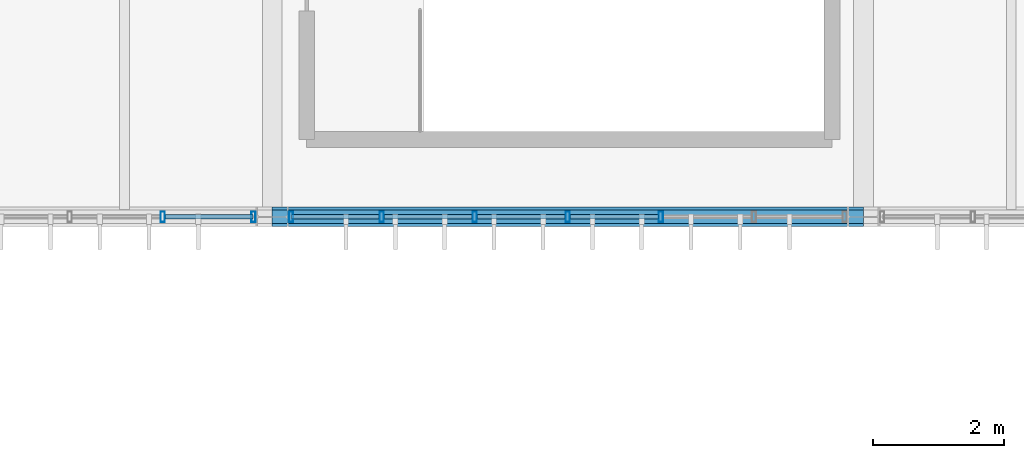
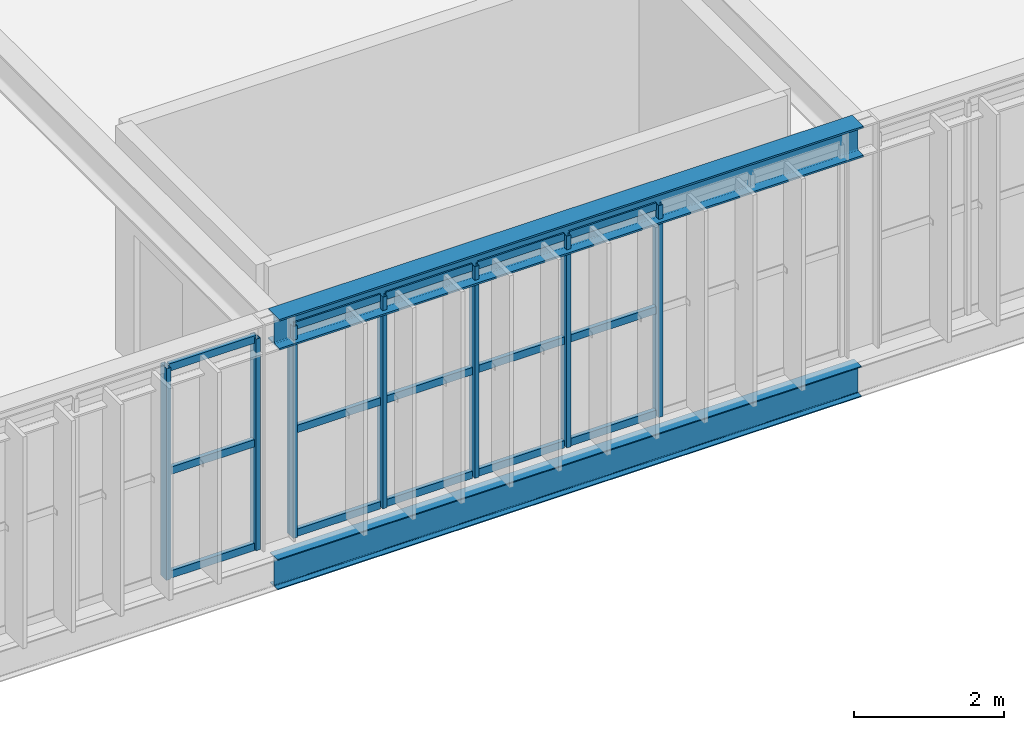
# One storey, part 36 of 152: 22 members, 2 beams, 2 elements without a shape of their own.
"""IFC4 building model written with IfcOpenShell, lengths in metres."""

import ifcopenshell
import ifcopenshell.guid

model = None  # the IFC model being written
_history = None  # IfcOwnerHistory: only IFC2X3 demands one
_inside = {}  # id of a spatial element -> (the spatial element, [elements in it])
_under = {}  # id of a project, library or spatial element -> (it, [spatial elements below it])
_declared = {}  # id of a project -> (the project, [libraries it declares])
_typed = {}  # id of a type object -> (the type object, [elements of that type])
_made_of = {}  # id of a material, layer set ... -> (it, [elements and type objects made of it])


def new_model(schema):
    """Start an empty IFC model of exactly this schema.

    Asked for "IFC4X3", IfcOpenShell would pick the latest addendum, in which some entities
    have other attributes; the version numbers below select the first issue.
    IFC2X3 requires an IfcOwnerHistory on every rooted entity: one is made here for all.
    """
    global model, _history
    if schema == "IFC4X3":
        model = ifcopenshell.file(schema_version=(4, 3, 0, 0))
    else:
        model = ifcopenshell.file(schema=schema)
    _inside.clear()
    _under.clear()
    _declared.clear()
    _typed.clear()
    _made_of.clear()
    _history = None
    if model.schema == "IFC2X3":
        org = make("IfcOrganization", Name="unknown")
        user = make(
            "IfcPersonAndOrganization",
            ThePerson=make("IfcPerson", FamilyName="unknown"),
            TheOrganization=org,
        )
        app = make(
            "IfcApplication",
            ApplicationDeveloper=org,
            Version="unknown",
            ApplicationFullName="unknown",
            ApplicationIdentifier="unknown",
        )
        _history = make(
            "IfcOwnerHistory",
            OwningUser=user,
            OwningApplication=app,
            ChangeAction="ADDED",
            CreationDate=0,
        )
    return model


def make(cls, **values):
    """One entity of the class cls with the attributes given. An attribute that is None is left unset."""
    return model.create_entity(
        cls, **{name: value for name, value in values.items() if value is not None}
    )


def rooted(cls, **values):
    """An entity with a GlobalId (a new one), such as an element, a storey or a relation."""
    return make(cls, GlobalId=ifcopenshell.guid.new(), OwnerHistory=_history, **values)


def si_unit(unit_type, name, prefix=None):
    """IfcSIUnit, for example si_unit("LENGTHUNIT", "METRE", prefix="MILLI")."""
    return make("IfcSIUnit", UnitType=unit_type, Prefix=prefix, Name=name)


def derived_unit(unit_type, elements):
    """IfcDerivedUnit: a product of units, each with its exponent."""
    return make(
        "IfcDerivedUnit",
        Elements=[
            make("IfcDerivedUnitElement", Unit=unit, Exponent=power)
            for unit, power in elements
        ],
        UnitType=unit_type,
    )


def assignment(units):
    """IfcUnitAssignment: the units of a project."""
    return None if units is None else make("IfcUnitAssignment", Units=units)


def point(xyz):
    """IfcCartesianPoint."""
    return None if xyz is None else make("IfcCartesianPoint", Coordinates=xyz)


def direction(xyz):
    """IfcDirection."""
    return None if xyz is None else make("IfcDirection", DirectionRatios=xyz)


def frame(location, z_axis=None, x_axis=None):
    """IfcAxis2Placement3D, a coordinate frame: its origin and axes. An axis left out is left unset."""
    return make(
        "IfcAxis2Placement3D",
        Location=point(location),
        Axis=direction(z_axis),
        RefDirection=direction(x_axis),
    )


def frame_2d(location, x_axis=None):
    """IfcAxis2Placement2D, a coordinate frame in the plane: its origin and x axis."""
    return make(
        "IfcAxis2Placement2D", Location=point(location), RefDirection=direction(x_axis)
    )


def origin():
    """The frame at (0, 0, 0) with its axes left unset."""
    return frame((0.0, 0.0, 0.0))


def origin_2d():
    """The frame at (0, 0) in the plane with its x axis left unset."""
    return frame_2d((0.0, 0.0))


def place(relative_to, where):
    """IfcLocalPlacement: puts the frame where relative to a parent placement (None: the world)."""
    return make(
        "IfcLocalPlacement", PlacementRelTo=relative_to, RelativePlacement=where
    )


def context(
    kind, dimensions, precision=None, world=None, true_north=None, identifier=None
):
    """IfcGeometricRepresentationContext, for example the 3D "Model" context."""
    return make(
        "IfcGeometricRepresentationContext",
        ContextIdentifier=identifier,
        ContextType=kind,
        CoordinateSpaceDimension=dimensions,
        Precision=precision,
        WorldCoordinateSystem=world,
        TrueNorth=true_north,
    )


def subcontext(parent, identifier, kind, view, scale=None):
    """IfcGeometricRepresentationSubContext, for example "Body" below "Model"."""
    return make(
        "IfcGeometricRepresentationSubContext",
        ContextIdentifier=identifier,
        ContextType=kind,
        ParentContext=parent,
        TargetScale=scale,
        TargetView=view,
    )


def project(units=None, contexts=None):
    """IfcProject with its units and contexts."""
    return rooted(
        "IfcProject",
        Name="project",
        RepresentationContexts=contexts,
        UnitsInContext=assignment(units),
    )


def spatial(cls, under=None, at=None, **own):
    """A site, building, storey or space (cls), placed at a placement, below another one or the project."""
    s = rooted(cls, ObjectPlacement=at, **own)
    if under is not None:
        _under.setdefault(under.id(), (under, []))[1].append(s)
    return s


def profile(cls, at=None, kind="AREA", **sizes):
    """A parametric profile (cls). Its sizes go by their IFC names, for example OverallWidth=200.0."""
    return make(cls, ProfileType=kind, Position=at, **sizes)


def hollow_rectangle(**sizes):
    """IfcRectangleHollowProfileDef."""
    return profile("IfcRectangleHollowProfileDef", **sizes)


def i_section(**sizes):
    """IfcIShapeProfileDef."""
    return profile("IfcIShapeProfileDef", **sizes)


def extrude(swept, where, along, depth):
    """IfcExtrudedAreaSolid: the profile swept, set in the frame where, extruded along a direction by depth."""
    return make(
        "IfcExtrudedAreaSolid",
        SweptArea=swept,
        Position=where,
        ExtrudedDirection=direction(along),
        Depth=depth,
    )


def shape(context_of_items, identifier, shape_type, items):
    """IfcShapeRepresentation: the items that make up one representation, for example the "Body"."""
    return make(
        "IfcShapeRepresentation",
        ContextOfItems=context_of_items,
        RepresentationIdentifier=identifier,
        RepresentationType=shape_type,
        Items=items,
    )


def material(Name=None, Category=None):
    """IfcMaterial."""
    return make("IfcMaterial", Name=Name, Category=Category)


def material_profile(
    of_material, cross_section, Name=None, Category=None, Priority=None
):
    """IfcMaterialProfile: a cross section and its material."""
    return make(
        "IfcMaterialProfile",
        Name=Name,
        Material=of_material,
        Profile=cross_section,
        Priority=Priority,
        Category=Category,
    )


def profile_set(profiles, Name=None, composite=None):
    """IfcMaterialProfileSet."""
    return make(
        "IfcMaterialProfileSet",
        Name=Name,
        MaterialProfiles=profiles,
        CompositeProfile=composite,
    )


def made_of(thing, what):
    """Note that an element or type object is made of a material, layer set ...; save() writes the relation."""
    if what is not None:
        _made_of.setdefault(what.id(), (what, []))[1].append(thing)
    return thing


def type_object(cls, material=None, **own):
    """A type object (cls), such as IfcWallType, which elements share."""
    return made_of(rooted(cls, **own), material)


def element(
    cls,
    number,
    at=None,
    inside=None,
    cuts=None,
    type_object=None,
    material=None,
    context=None,
    identifier="Body",
    shape_type=None,
    held_by="IfcProductDefinitionShape",
    body=None,
    shapes=None,
    **own,
):
    """One element of the class cls, such as IfcWall. Its Tag is "e" and its number.

    at: its placement. inside: the storey or other place that contains it. cuts: it is an
    opening in that element (IfcRelVoidsElement). A single representation is given by context,
    identifier, shape_type and body (its items); several are given by shapes. held_by: the class
    of the entity that holds the representations. save() writes the other relations.
    """
    e = rooted(cls, Tag="e%d" % number, ObjectPlacement=at, **own)
    if body is not None:
        shapes = [shape(context, identifier, shape_type, body)]
    if shapes is not None:
        e.Representation = make(held_by, Representations=shapes)
    if inside is not None:
        _inside.setdefault(inside.id(), (inside, []))[1].append(e)
    if cuts is not None:
        rooted(
            "IfcRelVoidsElement", RelatingBuildingElement=cuts, RelatedOpeningElement=e
        )
    if type_object is not None:
        _typed.setdefault(type_object.id(), (type_object, []))[1].append(e)
    return made_of(e, material)


def aggregate(whole, parts):
    """IfcRelAggregates: a whole, such as a stair, and the parts it consists of."""
    return rooted("IfcRelAggregates", RelatingObject=whole, RelatedObjects=parts)


def save(model, path):
    """Write the relations noted so far, then the file.

    IfcRelAggregates (storeys below a building ...), IfcRelContainedInSpatialStructure (elements
    in a storey), IfcRelDefinesByType, IfcRelAssociatesMaterial and IfcRelDeclares: one each for
    every whole, place, type object, material and project.
    """
    for whole, parts in _under.values():
        aggregate(whole, parts)
    for where, things in _inside.values():
        rooted(
            "IfcRelContainedInSpatialStructure",
            RelatedElements=things,
            RelatingStructure=where,
        )
    for kind, things in _typed.values():
        rooted("IfcRelDefinesByType", RelatedObjects=things, RelatingType=kind)
    for what, things in _made_of.values():
        rooted("IfcRelAssociatesMaterial", RelatedObjects=things, RelatingMaterial=what)
    for by, libraries in _declared.values():
        rooted("IfcRelDeclares", RelatingContext=by, RelatedDefinitions=libraries)
    model.write(path)


model = new_model("IFC4")

# Units and contexts
model_context = context("Model", 3, precision=1e-05, world=origin(), true_north=direction((0.0, 1.0)))
body_context = subcontext(model_context, "Body", "Model", "MODEL_VIEW")
ifc_project = project(units=[si_unit("LENGTHUNIT", "METRE"), si_unit("AREAUNIT", "SQUARE_METRE"), si_unit("VOLUMEUNIT", "CUBIC_METRE"), si_unit("PLANEANGLEUNIT", "RADIAN"), si_unit("MASSUNIT", "GRAM", prefix="KILO"), si_unit("THERMODYNAMICTEMPERATUREUNIT", "KELVIN"), si_unit("TIMEUNIT", "SECOND"), derived_unit("THERMALTRANSMITTANCEUNIT", [(si_unit("MASSUNIT", "GRAM", prefix="KILO"), 1), (si_unit("THERMODYNAMICTEMPERATUREUNIT", "KELVIN"), -1), (si_unit("TIMEUNIT", "SECOND"), -3)])], contexts=[model_context])

# Site, building, storey
site_placement = place(None, origin())
site = spatial("IfcSite", under=ifc_project, at=site_placement, CompositionType="ELEMENT")
building_placement = place(site_placement, origin())
building = spatial("IfcBuilding", under=site, at=building_placement, Name="Cambertide Market Hall", CompositionType="ELEMENT")
storey_placement = place(building_placement, frame((0.0, 0.0, 5.39990234375)))
storey = spatial("IfcBuildingStorey", under=building, at=storey_placement, Name="L02", CompositionType="ELEMENT", Elevation=5.39990234375)

# Curtain wall, members
ifc_material_1 = material(Name="Marine Anodized Aluminium 6063-T6 AA25", Category="aluminium")
curtain_wall_type = type_object("IfcCurtainWallType", Name="Lantern Straight Upper Curtain Wall", PredefinedType="USERDEFINED", material=ifc_material_1)
curtain_wall_1_placement = place(storey_placement, origin())
curtain_wall_1 = element("IfcCurtainWall", 1, at=curtain_wall_1_placement, inside=storey, type_object=curtain_wall_type, Name="Level 2 Curtain Wall CW-V1S-L02-4", ObjectType="UNITIZED CURTAIN WALL", PredefinedType="USERDEFINED")
ifc_material_2 = material(Name="Champagne Marine Anodized Aluminium 6063-T6 AA25", Category="aluminium")
ifc_material_profile_1 = material_profile(ifc_material_2, hollow_rectangle(XDim=0.06494140625, YDim=0.159912109375, WallThickness=0.00341796875, at=origin_2d()), Name="ALU MULLION 65x160")
ifc_profile_set_1 = profile_set([ifc_material_profile_1], Name="Champagne Marine Anodized Aluminium 6063-T6 AA25")
member_type_1 = type_object("IfcMemberType", Name="Curtain Wall Mullion ALU MULLION 65x160", PredefinedType="MULLION", material=ifc_profile_set_1)
member_1_placement = place(storey_placement, frame((77.715087890625, 52.0, 0.0), z_axis=(0.0, 0.0, 1.0), x_axis=(-1.0, 0.0, 0.0)))
member_1 = element("IfcMember", 2, at=member_1_placement, type_object=member_type_1, Name="CW-V1S-L02-4 Mullion 1", PredefinedType="MULLION", context=body_context, shape_type="SweptSolid", body=[
    extrude(hollow_rectangle(XDim=0.06494140625, YDim=0.159912109375, WallThickness=0.00341796875, at=origin_2d()), origin(), (0.0, 0.0, 1.0), 3.4501953125),
])
member_2_placement = place(storey_placement, frame((76.333251953125, 52.0, 0.0), z_axis=(0.0, 0.0, 1.0), x_axis=(-1.0, 0.0, 0.0)))
member_2 = element("IfcMember", 3, at=member_2_placement, type_object=member_type_1, Name="CW-V1S-L02-4 Mullion 2", PredefinedType="MULLION", context=body_context, shape_type="SweptSolid", body=[
    extrude(hollow_rectangle(XDim=0.06494140625, YDim=0.159912109375, WallThickness=0.00341796875, at=origin_2d()), origin(), (0.0, 0.0, 1.0), 3.4501953125),
])

curtain_wall_2_placement = place(storey_placement, origin())
curtain_wall_2 = element("IfcCurtainWall", 4, at=curtain_wall_2_placement, inside=storey, type_object=curtain_wall_type, Name="Level 2 Curtain Wall CW-V1S-L02-5", ObjectType="UNITIZED CURTAIN WALL", PredefinedType="USERDEFINED")
member_3_placement = place(storey_placement, frame((83.916748046875, 52.0, 0.0), z_axis=(0.0, 0.0, 1.0), x_axis=(-1.0, 0.0, 0.0)))
member_3 = element("IfcMember", 5, at=member_3_placement, type_object=member_type_1, Name="CW-V1S-L02-5 Mullion 3", PredefinedType="MULLION", context=body_context, shape_type="SweptSolid", body=[
    extrude(hollow_rectangle(XDim=0.06494140625, YDim=0.159912109375, WallThickness=0.00341796875, at=origin_2d()), origin(), (0.0, 0.0, 1.0), 3.4501953125),
])
member_4_placement = place(storey_placement, frame((82.5, 52.0, 0.0), z_axis=(0.0, 0.0, 1.0), x_axis=(-1.0, 0.0, 0.0)))
member_4 = element("IfcMember", 6, at=member_4_placement, type_object=member_type_1, Name="CW-V1S-L02-5 Mullion 4", PredefinedType="MULLION", context=body_context, shape_type="SweptSolid", body=[
    extrude(hollow_rectangle(XDim=0.06494140625, YDim=0.159912109375, WallThickness=0.00341796875, at=origin_2d()), origin(), (0.0, 0.0, 1.0), 3.4501953125),
])
member_5_placement = place(storey_placement, frame((81.083251953125, 52.0, 0.0), z_axis=(0.0, 0.0, 1.0), x_axis=(-1.0, 0.0, 0.0)))
member_5 = element("IfcMember", 7, at=member_5_placement, type_object=member_type_1, Name="CW-V1S-L02-5 Mullion 5", PredefinedType="MULLION", context=body_context, shape_type="SweptSolid", body=[
    extrude(hollow_rectangle(XDim=0.06494140625, YDim=0.159912109375, WallThickness=0.00341796875, at=origin_2d()), origin(), (0.0, 0.0, 1.0), 3.4501953125),
])
member_6_placement = place(storey_placement, frame((79.666748046875, 52.0, 0.0), z_axis=(0.0, 0.0, 1.0), x_axis=(-1.0, 0.0, 0.0)))
member_6 = element("IfcMember", 8, at=member_6_placement, type_object=member_type_1, Name="CW-V1S-L02-5 Mullion 6", PredefinedType="MULLION", context=body_context, shape_type="SweptSolid", body=[
    extrude(hollow_rectangle(XDim=0.06494140625, YDim=0.159912109375, WallThickness=0.00341796875, at=origin_2d()), origin(), (0.0, 0.0, 1.0), 3.4501953125),
])
member_7_placement = place(storey_placement, frame((78.284912109375, 52.0, 0.0), z_axis=(0.0, 0.0, 1.0), x_axis=(-1.0, 0.0, 0.0)))
member_7 = element("IfcMember", 9, at=member_7_placement, type_object=member_type_1, Name="CW-V1S-L02-5 Mullion 7", PredefinedType="MULLION", context=body_context, shape_type="SweptSolid", body=[
    extrude(hollow_rectangle(XDim=0.06494140625, YDim=0.159912109375, WallThickness=0.00341796875, at=origin_2d()), origin(), (0.0, 0.0, 1.0), 3.4501953125),
])

# Member
ifc_material_3 = material(Name="Champagne Marine Anodized Aluminium 6063-T6 AA25", Category="aluminium")
ifc_material_profile_2 = material_profile(ifc_material_3, hollow_rectangle(XDim=0.06494140625, YDim=0.1201171875, WallThickness=0.003173828125, at=origin_2d()), Name="ALU TRANSOM 65x120")
ifc_profile_set_2 = profile_set([ifc_material_profile_2], Name="Champagne Marine Anodized Aluminium 6063-T6 AA25")
member_type_2 = type_object("IfcMemberType", Name="Curtain Wall Transom ALU TRANSOM 65x120", PredefinedType="USERDEFINED", material=ifc_profile_set_2)
member_8_placement = place(storey_placement, frame((77.7099609375, 52.0, 0.03515625), z_axis=(-1.0, 0.0, 0.0), x_axis=(0.0, -1.0, 0.0)))
member_8 = element("IfcMember", 10, at=member_8_placement, type_object=member_type_2, Name="CW-V1S-L02-4 Transom 1-1", ObjectType="TRANSOM", PredefinedType="USERDEFINED", context=body_context, shape_type="SweptSolid", body=[
    extrude(hollow_rectangle(XDim=0.06494140625, YDim=0.1201171875, WallThickness=0.003173828125, at=origin_2d()), origin(), (0.0, 0.0, 1.0), 1.336669921875),
])

member_9_placement = place(storey_placement, frame((77.7099609375, 52.0, 1.72509765625), z_axis=(-1.0, 0.0, 0.0), x_axis=(0.0, -1.0, 0.0)))
member_9 = element("IfcMember", 11, at=member_9_placement, type_object=member_type_2, Name="CW-V1S-L02-4 Transom 2-1", ObjectType="TRANSOM", PredefinedType="USERDEFINED", context=body_context, shape_type="SweptSolid", body=[
    extrude(hollow_rectangle(XDim=0.06494140625, YDim=0.1201171875, WallThickness=0.003173828125, at=origin_2d()), origin(), (0.0, 0.0, 1.0), 1.336669921875),
])

member_10_placement = place(storey_placement, frame((77.7099609375, 52.0, 3.4150390625), z_axis=(-1.0, 0.0, 0.0), x_axis=(0.0, -1.0, 0.0)))
member_10 = element("IfcMember", 12, at=member_10_placement, type_object=member_type_2, Name="CW-V1S-L02-4 Transom 3-1", ObjectType="TRANSOM", PredefinedType="USERDEFINED", context=body_context, shape_type="SweptSolid", body=[
    extrude(hollow_rectangle(XDim=0.06494140625, YDim=0.1201171875, WallThickness=0.003173828125, at=origin_2d()), origin(), (0.0, 0.0, 1.0), 1.336669921875),
])

aggregate(curtain_wall_1, [member_1, member_2, member_8, member_9, member_10])

member_11_placement = place(storey_placement, frame((83.876708984375, 52.0, 0.03515625), z_axis=(-1.0, 0.0, 0.0), x_axis=(0.0, -1.0, 0.0)))
member_11 = element("IfcMember", 13, at=member_11_placement, type_object=member_type_2, Name="CW-V1S-L02-5 Transom 1-3", ObjectType="TRANSOM", PredefinedType="USERDEFINED", context=body_context, shape_type="SweptSolid", body=[
    extrude(hollow_rectangle(XDim=0.06494140625, YDim=0.1201171875, WallThickness=0.003173828125, at=origin_2d()), origin(), (0.0, 0.0, 1.0), 1.336669921875),
])

member_12_placement = place(storey_placement, frame((82.4599609375, 52.0, 0.03515625), z_axis=(-1.0, 0.0, 0.0), x_axis=(0.0, -1.0, 0.0)))
member_12 = element("IfcMember", 14, at=member_12_placement, type_object=member_type_2, Name="CW-V1S-L02-5 Transom 1-4", ObjectType="TRANSOM", PredefinedType="USERDEFINED", context=body_context, shape_type="SweptSolid", body=[
    extrude(hollow_rectangle(XDim=0.06494140625, YDim=0.1201171875, WallThickness=0.003173828125, at=origin_2d()), origin(), (0.0, 0.0, 1.0), 1.336669921875),
])

member_13_placement = place(storey_placement, frame((81.043212890625, 52.0, 0.03515625), z_axis=(-1.0, 0.0, 0.0), x_axis=(0.0, -1.0, 0.0)))
member_13 = element("IfcMember", 15, at=member_13_placement, type_object=member_type_2, Name="CW-V1S-L02-5 Transom 1-5", ObjectType="TRANSOM", PredefinedType="USERDEFINED", context=body_context, shape_type="SweptSolid", body=[
    extrude(hollow_rectangle(XDim=0.06494140625, YDim=0.1201171875, WallThickness=0.003173828125, at=origin_2d()), origin(), (0.0, 0.0, 1.0), 1.33642578125),
])

member_14_placement = place(storey_placement, frame((79.626708984375, 52.0, 0.03515625), z_axis=(-1.0, 0.0, 0.0), x_axis=(0.0, -1.0, 0.0)))
member_14 = element("IfcMember", 16, at=member_14_placement, type_object=member_type_2, Name="CW-V1S-L02-5 Transom 1-6", ObjectType="TRANSOM", PredefinedType="USERDEFINED", context=body_context, shape_type="SweptSolid", body=[
    extrude(hollow_rectangle(XDim=0.06494140625, YDim=0.1201171875, WallThickness=0.003173828125, at=origin_2d()), origin(), (0.0, 0.0, 1.0), 1.336669921875),
])

member_15_placement = place(storey_placement, frame((83.876708984375, 52.0, 1.72509765625), z_axis=(-1.0, 0.0, 0.0), x_axis=(0.0, -1.0, 0.0)))
member_15 = element("IfcMember", 17, at=member_15_placement, type_object=member_type_2, Name="CW-V1S-L02-5 Transom 2-3", ObjectType="TRANSOM", PredefinedType="USERDEFINED", context=body_context, shape_type="SweptSolid", body=[
    extrude(hollow_rectangle(XDim=0.06494140625, YDim=0.1201171875, WallThickness=0.003173828125, at=origin_2d()), origin(), (0.0, 0.0, 1.0), 1.336669921875),
])

member_16_placement = place(storey_placement, frame((82.4599609375, 52.0, 1.72509765625), z_axis=(-1.0, 0.0, 0.0), x_axis=(0.0, -1.0, 0.0)))
member_16 = element("IfcMember", 18, at=member_16_placement, type_object=member_type_2, Name="CW-V1S-L02-5 Transom 2-4", ObjectType="TRANSOM", PredefinedType="USERDEFINED", context=body_context, shape_type="SweptSolid", body=[
    extrude(hollow_rectangle(XDim=0.06494140625, YDim=0.1201171875, WallThickness=0.003173828125, at=origin_2d()), origin(), (0.0, 0.0, 1.0), 1.336669921875),
])

member_17_placement = place(storey_placement, frame((81.043212890625, 52.0, 1.72509765625), z_axis=(-1.0, 0.0, 0.0), x_axis=(0.0, -1.0, 0.0)))
member_17 = element("IfcMember", 19, at=member_17_placement, type_object=member_type_2, Name="CW-V1S-L02-5 Transom 2-5", ObjectType="TRANSOM", PredefinedType="USERDEFINED", context=body_context, shape_type="SweptSolid", body=[
    extrude(hollow_rectangle(XDim=0.06494140625, YDim=0.1201171875, WallThickness=0.003173828125, at=origin_2d()), origin(), (0.0, 0.0, 1.0), 1.33642578125),
])

member_18_placement = place(storey_placement, frame((79.626708984375, 52.0, 1.72509765625), z_axis=(-1.0, 0.0, 0.0), x_axis=(0.0, -1.0, 0.0)))
member_18 = element("IfcMember", 20, at=member_18_placement, type_object=member_type_2, Name="CW-V1S-L02-5 Transom 2-6", ObjectType="TRANSOM", PredefinedType="USERDEFINED", context=body_context, shape_type="SweptSolid", body=[
    extrude(hollow_rectangle(XDim=0.06494140625, YDim=0.1201171875, WallThickness=0.003173828125, at=origin_2d()), origin(), (0.0, 0.0, 1.0), 1.336669921875),
])

member_19_placement = place(storey_placement, frame((83.876708984375, 52.0, 3.4150390625), z_axis=(-1.0, 0.0, 0.0), x_axis=(0.0, -1.0, 0.0)))
member_19 = element("IfcMember", 21, at=member_19_placement, type_object=member_type_2, Name="CW-V1S-L02-5 Transom 3-3", ObjectType="TRANSOM", PredefinedType="USERDEFINED", context=body_context, shape_type="SweptSolid", body=[
    extrude(hollow_rectangle(XDim=0.06494140625, YDim=0.1201171875, WallThickness=0.003173828125, at=origin_2d()), origin(), (0.0, 0.0, 1.0), 1.336669921875),
])

member_20_placement = place(storey_placement, frame((82.4599609375, 52.0, 3.4150390625), z_axis=(-1.0, 0.0, 0.0), x_axis=(0.0, -1.0, 0.0)))
member_20 = element("IfcMember", 22, at=member_20_placement, type_object=member_type_2, Name="CW-V1S-L02-5 Transom 3-4", ObjectType="TRANSOM", PredefinedType="USERDEFINED", context=body_context, shape_type="SweptSolid", body=[
    extrude(hollow_rectangle(XDim=0.06494140625, YDim=0.1201171875, WallThickness=0.003173828125, at=origin_2d()), origin(), (0.0, 0.0, 1.0), 1.336669921875),
])

member_21_placement = place(storey_placement, frame((81.043212890625, 52.0, 3.4150390625), z_axis=(-1.0, 0.0, 0.0), x_axis=(0.0, -1.0, 0.0)))
member_21 = element("IfcMember", 23, at=member_21_placement, type_object=member_type_2, Name="CW-V1S-L02-5 Transom 3-5", ObjectType="TRANSOM", PredefinedType="USERDEFINED", context=body_context, shape_type="SweptSolid", body=[
    extrude(hollow_rectangle(XDim=0.06494140625, YDim=0.1201171875, WallThickness=0.003173828125, at=origin_2d()), origin(), (0.0, 0.0, 1.0), 1.33642578125),
])

member_22_placement = place(storey_placement, frame((79.626708984375, 52.0, 3.4150390625), z_axis=(-1.0, 0.0, 0.0), x_axis=(0.0, -1.0, 0.0)))
member_22 = element("IfcMember", 24, at=member_22_placement, type_object=member_type_2, Name="CW-V1S-L02-5 Transom 3-6", ObjectType="TRANSOM", PredefinedType="USERDEFINED", context=body_context, shape_type="SweptSolid", body=[
    extrude(hollow_rectangle(XDim=0.06494140625, YDim=0.1201171875, WallThickness=0.003173828125, at=origin_2d()), origin(), (0.0, 0.0, 1.0), 1.336669921875),
])

aggregate(curtain_wall_2, [member_3, member_4, member_5, member_6, member_7, member_11, member_12, member_13, member_14, member_15, member_16, member_17, member_18, member_19, member_20, member_21, member_22])

# Beams
ifc_material_4 = material(Name="Steel S355", Category="steel")
ifc_material_profile_3 = material_profile(ifc_material_4, i_section(OverallWidth=0.300048828125, OverallDepth=0.5, WebThickness=0.014404296875, FlangeThickness=0.028076171875, FilletRadius=0.027099609375, at=origin_2d()), Name="HEB 500")
ifc_profile_set_3 = profile_set([ifc_material_profile_3], Name="Steel S355")
beam_type_1 = type_object("IfcBeamType", Name="Exterior Steel Girder HEB 500", PredefinedType="BEAM", material=ifc_profile_set_3)
beam_1_placement = place(storey_placement, frame((78.0, 52.0, 3.4501953125), z_axis=(1.0, 0.0, 0.0), x_axis=(0.0, 1.0, 0.0)))
element("IfcBeam", 25, at=beam_1_placement, inside=storey, type_object=beam_type_1, Name="Level 2 Beam EAVE-V1S-5", PredefinedType="BEAM", context=body_context, shape_type="SweptSolid", body=[
    extrude(i_section(OverallWidth=0.300048828125, OverallDepth=0.5, WebThickness=0.014404296875, FlangeThickness=0.028076171875, FilletRadius=0.027099609375, at=origin_2d()), origin(), (0.0, 0.0, 1.0), 9.0),
])
ifc_material_5 = material(Name="Steel S355", Category="steel")
ifc_material_profile_4 = material_profile(ifc_material_5, i_section(OverallWidth=0.199951171875, OverallDepth=0.5, WebThickness=0.01025390625, FlangeThickness=0.01611328125, FilletRadius=0.02099609375, at=origin_2d()), Name="IPE 500")
ifc_profile_set_4 = profile_set([ifc_material_profile_4], Name="Steel S355")
beam_type_2 = type_object("IfcBeamType", Name="Perimeter Spandrel Beam IPE 500", PredefinedType="SPANDREL", material=ifc_profile_set_4)
beam_2_placement = place(storey_placement, frame((78.0, 52.0, -0.489990234375), z_axis=(1.0, 0.0, 0.0), x_axis=(0.0, 1.0, 0.0)))
element("IfcBeam", 26, at=beam_2_placement, inside=storey, type_object=beam_type_2, Name="Level 2 Spandrel BM-V1S-L02-5", PredefinedType="SPANDREL", context=body_context, shape_type="SweptSolid", body=[
    extrude(i_section(OverallWidth=0.199951171875, OverallDepth=0.5, WebThickness=0.01025390625, FlangeThickness=0.01611328125, FilletRadius=0.02099609375, at=origin_2d()), origin(), (0.0, 0.0, 1.0), 9.0),
])

save(model, "model.ifc")
